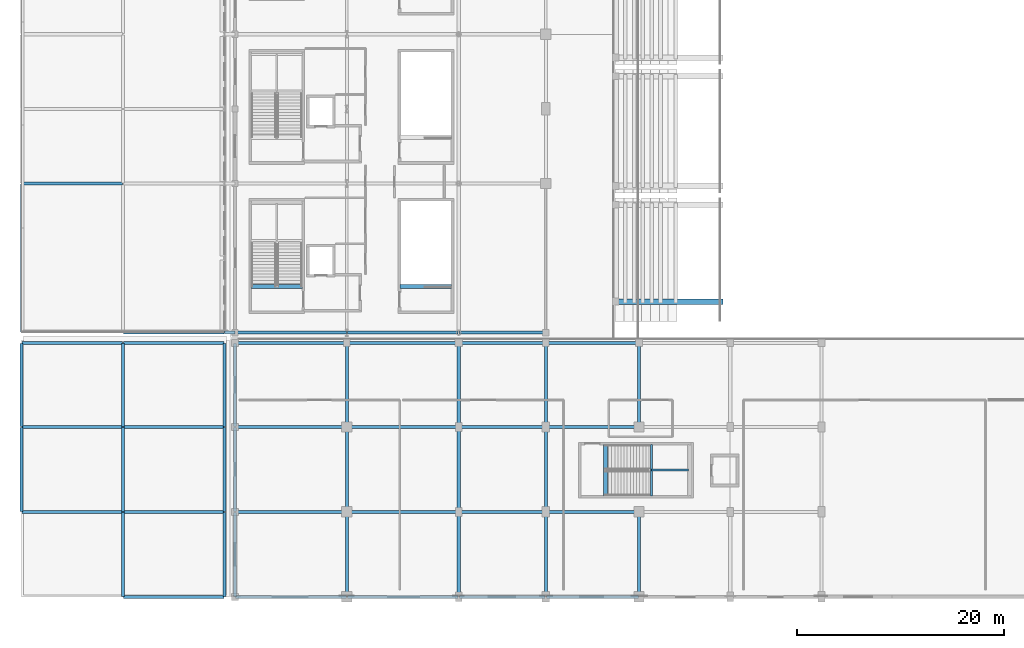
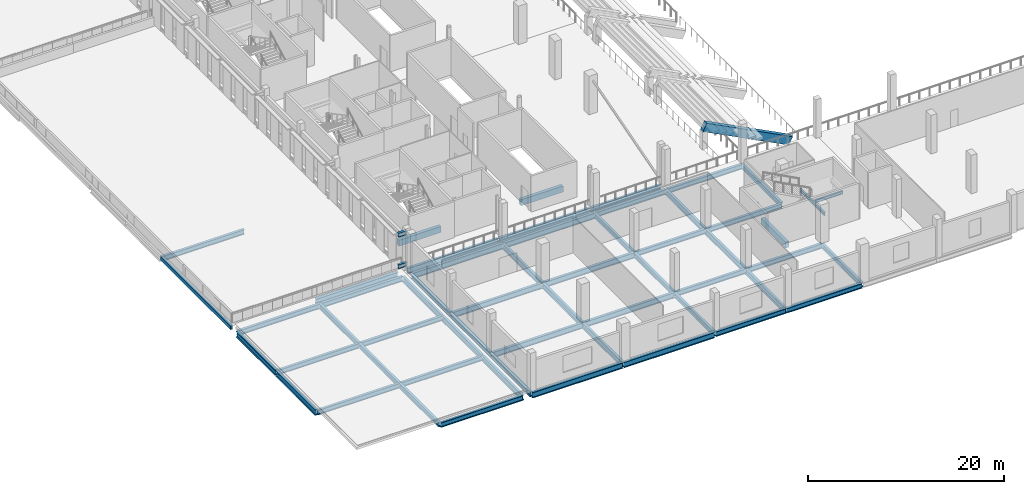
# One storey, part 13 of 74: 59 beams.
"""IFC4 building model written with IfcOpenShell, lengths in metres."""

from ifc_helpers import new_model, si_unit, direction, frame, origin, origin_2d, place, context, subcontext, project, spatial, rectangle, hollow_rectangle, i_section, extrude, material, material_profile, profile_set, type_object, element, save


model = new_model("IFC4")

# Units and contexts
model_context = context("Model", 3, precision=1e-05, world=origin(), true_north=direction((0.0, 1.0)))
body_context = subcontext(model_context, "Body", "Model", "MODEL_VIEW")
ifc_project = project(units=[si_unit("LENGTHUNIT", "METRE"), si_unit("AREAUNIT", "SQUARE_METRE"), si_unit("VOLUMEUNIT", "CUBIC_METRE"), si_unit("PLANEANGLEUNIT", "RADIAN"), si_unit("MASSUNIT", "GRAM", prefix="KILO")], contexts=[model_context])

# Site, building, storey
site_placement = place(None, origin())
site = spatial("IfcSite", under=ifc_project, at=site_placement, CompositionType="ELEMENT")
building_placement = place(site_placement, origin())
building = spatial("IfcBuilding", under=site, at=building_placement, Name="Koshinbarg Plaza Stadium", CompositionType="ELEMENT")
storey_placement = place(building_placement, frame((0.0, 0.0, 15.0)))
storey = spatial("IfcBuildingStorey", under=building, at=storey_placement, Name="L03", CompositionType="ELEMENT", Elevation=15.0)

# Beams
ifc_material_1 = material(Name="Steel S355", Category="steel")
ifc_material_profile_1 = material_profile(ifc_material_1, i_section(OverallWidth=0.300048828125, OverallDepth=0.5, WebThickness=0.014404296875, FlangeThickness=0.028076171875, at=origin_2d()), Name="HEB 500")
ifc_profile_set_1 = profile_set([ifc_material_profile_1], Name="Steel S355")
beam_type_1 = type_object("IfcBeamType", Name="BM-CANOPY-CANT", PredefinedType="BEAM", material=ifc_profile_set_1)
for number, where, z_axis, x_axis, name in (
    (1, (24.60009765625, 25.5, 0.25), (-1.0, 0.0, 0.0), (0.0, -1.0, 0.0), "Outer screen cantilever outrigger W-L03-Y01"),
    (2, (24.60009765625, 25.5, 4.179931640625), (-1.0, 0.0, 0.0), (0.0, -1.0, 0.0), "Outer screen cantilever outrigger W-L03-Y01"),
):
    element("IfcBeam", number, at=place(storey_placement, frame(where, z_axis=z_axis, x_axis=x_axis)), inside=storey, type_object=beam_type_1, Name=name, PredefinedType="BEAM", context=body_context, shape_type="SweptSolid", body=[
        extrude(i_section(OverallWidth=0.300048828125, OverallDepth=0.5, WebThickness=0.014404296875, FlangeThickness=0.028076171875, at=origin_2d()), origin(), (0.0, 0.0, 1.0), 1.030029296875),
    ])
ifc_material_2 = material(Name="Concrete C40/50", Category="concrete")
ifc_material_profile_2 = material_profile(ifc_material_2, rectangle(XDim=0.550048828125, YDim=1.0, at=origin_2d()), Name="RC 550x1000")
ifc_profile_set_2 = profile_set([ifc_material_profile_2], Name="Concrete C40/50")
beam_type_2 = type_object("IfcBeamType", Name="BM-RAKER-UT", PredefinedType="USERDEFINED", material=ifc_profile_set_2)
beam_1_placement = place(storey_placement, frame((71.4599609375, 28.5, -2.54296875), z_axis=(-0.888953125137, 0.0, 0.457998189198), x_axis=(0.0, -1.0, 0.0)))
element("IfcBeam", 3, at=beam_1_placement, inside=storey, type_object=beam_type_2, Name="Upper cantilevered bowl raker girder RAKER UT-W01-L", ObjectType="GIRDER", PredefinedType="USERDEFINED", context=body_context, shape_type="SweptSolid", body=[
    extrude(rectangle(XDim=0.550048828125, YDim=1.0, at=origin_2d()), origin(), (0.0, 0.0, 1.0), 11.384033203125),
])
ifc_material_profile_3 = material_profile(ifc_material_2, rectangle(XDim=0.39990234375, YDim=0.75, at=origin_2d()), Name="RC 400x750")
ifc_profile_set_3 = profile_set([ifc_material_profile_3], Name="Concrete C40/50")
beam_type_3 = type_object("IfcBeamType", Name="BM-RCG-03", PredefinedType="USERDEFINED", material=ifc_profile_set_3)
beam_2_placement = place(storey_placement, frame((26.14990234375, 29.9599609375, -0.375), z_axis=(1.0, 0.0, 0.0), x_axis=(0.0, 1.0, 0.0)))
element("IfcBeam", 4, at=beam_2_placement, inside=storey, type_object=beam_type_3, Name="L03 stair landing header beam C01", ObjectType="GIRDER", PredefinedType="USERDEFINED", context=body_context, shape_type="SweptSolid", body=[
    extrude(rectangle(XDim=0.39990234375, YDim=0.75, at=origin_2d()), origin(), (0.0, 0.0, 1.0), 4.97021484375),
])
for number, where, z_axis, x_axis, name in (
    (5, (60.360107421875, 9.75, -0.375), (0.0, 1.0, 0.0), (-1.0, 0.0, 0.0), "L03 stair landing header beam C13"),
    (6, (40.550048828125, 29.9599609375, -0.375), (1.0, 0.0, 0.0), (0.0, 1.0, 0.0), "L03 stair landing header beam VX01"),
):
    element("IfcBeam", number, at=place(storey_placement, frame(where, z_axis=z_axis, x_axis=x_axis)), inside=storey, type_object=beam_type_3, Name=name, ObjectType="GIRDER", PredefinedType="USERDEFINED", context=body_context, shape_type="SweptSolid", body=[
        extrude(rectangle(XDim=0.39990234375, YDim=0.75, at=origin_2d()), origin(), (0.0, 0.0, 1.0), 4.969970703125),
    ])
ifc_material_profile_4 = material_profile(ifc_material_1, i_section(OverallWidth=0.179931640625, OverallDepth=0.39990234375, WebThickness=0.008544921875, FlangeThickness=0.013427734375, at=origin_2d()), Name="IPE 400")
ifc_profile_set_4 = profile_set([ifc_material_profile_4], Name="Steel S355")
beam_type_4 = type_object("IfcBeamType", Name="BM-SBM-01", PredefinedType="BEAM", material=ifc_profile_set_4)
beam_3_placement = place(storey_placement, frame((64.81005859375, 9.75, 1.8798828125), z_axis=(0.0, 1.0, 0.0), x_axis=(-1.0, 0.0, 0.0)))
element("IfcBeam", 7, at=beam_3_placement, inside=storey, type_object=beam_type_4, Name="L03 Protected Exit Stair C13 landing trimmer beam 1", PredefinedType="BEAM", context=body_context, shape_type="SweptSolid", body=[
    extrude(i_section(OverallWidth=0.179931640625, OverallDepth=0.39990234375, WebThickness=0.008544921875, FlangeThickness=0.013427734375, at=origin_2d()), origin(), (0.0, 0.0, 1.0), 4.969970703125),
])
beam_4_placement = place(storey_placement, frame((64.81005859375, 12.235107421875, 1.8798828125), z_axis=(1.0, 0.0, 0.0), x_axis=(0.0, 1.0, 0.0)))
element("IfcBeam", 8, at=beam_4_placement, inside=storey, type_object=beam_type_4, Name="L03 Protected Exit Stair C13 landing trimmer beam 3", PredefinedType="BEAM", context=body_context, shape_type="SweptSolid", body=[
    extrude(i_section(OverallWidth=0.179931640625, OverallDepth=0.39990234375, WebThickness=0.008544921875, FlangeThickness=0.013427734375, at=origin_2d()), origin(), (0.0, 0.0, 1.0), 3.5400390625),
])
ifc_material_profile_5 = material_profile(ifc_material_1, i_section(OverallWidth=0.300048828125, OverallDepth=0.60009765625, WebThickness=0.015380859375, FlangeThickness=0.030029296875, at=origin_2d()), Name="HEB 600")
ifc_profile_set_5 = profile_set([ifc_material_profile_5], Name="Steel S355")
beam_type_5 = type_object("IfcBeamType", Name="BM-SGIR-02", PredefinedType="USERDEFINED", material=ifc_profile_set_5)
beam_5_placement = place(storey_placement, frame((13.860107421875, 0.0, -0.60009765625), z_axis=(1.0, 0.0, 0.0), x_axis=(0.0, 1.0, 0.0)))
element("IfcBeam", 9, at=beam_5_placement, inside=storey, type_object=beam_type_5, Name="L03 X girder A/3-4", ObjectType="GIRDER", PredefinedType="USERDEFINED", context=body_context, shape_type="SweptSolid", body=[
    extrude(i_section(OverallWidth=0.300048828125, OverallDepth=0.60009765625, WebThickness=0.015380859375, FlangeThickness=0.030029296875, at=origin_2d()), origin(), (0.0, 0.0, 1.0), 9.679931640625),
])
beam_6_placement = place(storey_placement, frame((46.260009765625, 0.0, -0.6201171875), z_axis=(1.0, 0.0, 0.0), x_axis=(0.0, 1.0, 0.0)))
element("IfcBeam", 10, at=beam_6_placement, inside=storey, type_object=beam_type_5, Name="L03 X girder A/7-8", ObjectType="GIRDER", PredefinedType="USERDEFINED", context=body_context, shape_type="SweptSolid", body=[
    extrude(i_section(OverallWidth=0.300048828125, OverallDepth=0.60009765625, WebThickness=0.015380859375, FlangeThickness=0.030029296875, at=origin_2d()), origin(), (0.0, 0.0, 1.0), 8.280029296875),
])
beam_7_placement = place(storey_placement, frame((54.659912109375, 0.0, -0.6201171875), z_axis=(1.0, 0.0, 0.0), x_axis=(0.0, 1.0, 0.0)))
element("IfcBeam", 11, at=beam_7_placement, inside=storey, type_object=beam_type_5, Name="L03 X girder A/8-9", ObjectType="GIRDER", PredefinedType="USERDEFINED", context=body_context, shape_type="SweptSolid", body=[
    extrude(i_section(OverallWidth=0.300048828125, OverallDepth=0.60009765625, WebThickness=0.015380859375, FlangeThickness=0.030029296875, at=origin_2d()), origin(), (0.0, 0.0, 1.0), 8.880126953125),
])
for number, where, z_axis, x_axis, name in (
    (12, (4.06005859375, 8.199951171875, -0.60009765625), (1.0, 0.0, 0.0), (0.0, 1.0, 0.0), "L03 X girder B/2-3"),
    (13, (13.860107421875, 8.199951171875, -0.60009765625), (1.0, 0.0, 0.0), (0.0, 1.0, 0.0), "L03 X girder B/3-4"),
):
    element("IfcBeam", number, at=place(storey_placement, frame(where, z_axis=z_axis, x_axis=x_axis)), inside=storey, type_object=beam_type_5, Name=name, ObjectType="GIRDER", PredefinedType="USERDEFINED", context=body_context, shape_type="SweptSolid", body=[
        extrude(i_section(OverallWidth=0.300048828125, OverallDepth=0.60009765625, WebThickness=0.015380859375, FlangeThickness=0.030029296875, at=origin_2d()), origin(), (0.0, 0.0, 1.0), 9.679931640625),
    ])
beam_8_placement = place(storey_placement, frame((46.260009765625, 8.199951171875, -0.6201171875), z_axis=(1.0, 0.0, 0.0), x_axis=(0.0, 1.0, 0.0)))
element("IfcBeam", 14, at=beam_8_placement, inside=storey, type_object=beam_type_5, Name="L03 X girder B/7-8", ObjectType="GIRDER", PredefinedType="USERDEFINED", context=body_context, shape_type="SweptSolid", body=[
    extrude(i_section(OverallWidth=0.300048828125, OverallDepth=0.60009765625, WebThickness=0.015380859375, FlangeThickness=0.030029296875, at=origin_2d()), origin(), (0.0, 0.0, 1.0), 8.280029296875),
])
beam_9_placement = place(storey_placement, frame((54.659912109375, 8.199951171875, -0.6201171875), z_axis=(1.0, 0.0, 0.0), x_axis=(0.0, 1.0, 0.0)))
element("IfcBeam", 15, at=beam_9_placement, inside=storey, type_object=beam_type_5, Name="L03 X girder B/8-9", ObjectType="GIRDER", PredefinedType="USERDEFINED", context=body_context, shape_type="SweptSolid", body=[
    extrude(i_section(OverallWidth=0.300048828125, OverallDepth=0.60009765625, WebThickness=0.015380859375, FlangeThickness=0.030029296875, at=origin_2d()), origin(), (0.0, 0.0, 1.0), 8.880126953125),
])
for number, where, z_axis, x_axis, name in (
    (16, (4.06005859375, 16.39990234375, -0.60009765625), (1.0, 0.0, 0.0), (0.0, 1.0, 0.0), "L03 X girder C/2-3"),
    (17, (13.860107421875, 16.39990234375, -0.60009765625), (1.0, 0.0, 0.0), (0.0, 1.0, 0.0), "L03 X girder C/3-4"),
):
    element("IfcBeam", number, at=place(storey_placement, frame(where, z_axis=z_axis, x_axis=x_axis)), inside=storey, type_object=beam_type_5, Name=name, ObjectType="GIRDER", PredefinedType="USERDEFINED", context=body_context, shape_type="SweptSolid", body=[
        extrude(i_section(OverallWidth=0.300048828125, OverallDepth=0.60009765625, WebThickness=0.015380859375, FlangeThickness=0.030029296875, at=origin_2d()), origin(), (0.0, 0.0, 1.0), 9.679931640625),
    ])
beam_10_placement = place(storey_placement, frame((46.260009765625, 16.39990234375, -0.6201171875), z_axis=(1.0, 0.0, 0.0), x_axis=(0.0, 1.0, 0.0)))
element("IfcBeam", 18, at=beam_10_placement, inside=storey, type_object=beam_type_5, Name="L03 X girder C/7-8", ObjectType="GIRDER", PredefinedType="USERDEFINED", context=body_context, shape_type="SweptSolid", body=[
    extrude(i_section(OverallWidth=0.300048828125, OverallDepth=0.60009765625, WebThickness=0.015380859375, FlangeThickness=0.030029296875, at=origin_2d()), origin(), (0.0, 0.0, 1.0), 8.280029296875),
])
beam_11_placement = place(storey_placement, frame((54.659912109375, 16.39990234375, -0.6201171875), z_axis=(1.0, 0.0, 0.0), x_axis=(0.0, 1.0, 0.0)))
element("IfcBeam", 19, at=beam_11_placement, inside=storey, type_object=beam_type_5, Name="L03 X girder C/8-9", ObjectType="GIRDER", PredefinedType="USERDEFINED", context=body_context, shape_type="SweptSolid", body=[
    extrude(i_section(OverallWidth=0.300048828125, OverallDepth=0.60009765625, WebThickness=0.015380859375, FlangeThickness=0.030029296875, at=origin_2d()), origin(), (0.0, 0.0, 1.0), 8.880126953125),
])
for number, where, z_axis, x_axis, name in (
    (20, (4.06005859375, 24.5, -0.60009765625), (1.0, 0.0, 0.0), (0.0, 1.0, 0.0), "L03 X girder D/2-3"),
    (21, (13.860107421875, 24.5, -0.60009765625), (1.0, 0.0, 0.0), (0.0, 1.0, 0.0), "L03 X girder D/3-4"),
):
    element("IfcBeam", number, at=place(storey_placement, frame(where, z_axis=z_axis, x_axis=x_axis)), inside=storey, type_object=beam_type_5, Name=name, ObjectType="GIRDER", PredefinedType="USERDEFINED", context=body_context, shape_type="SweptSolid", body=[
        extrude(i_section(OverallWidth=0.300048828125, OverallDepth=0.60009765625, WebThickness=0.015380859375, FlangeThickness=0.030029296875, at=origin_2d()), origin(), (0.0, 0.0, 1.0), 9.679931640625),
    ])
beam_12_placement = place(storey_placement, frame((46.260009765625, 24.5, -0.6201171875), z_axis=(1.0, 0.0, 0.0), x_axis=(0.0, 1.0, 0.0)))
element("IfcBeam", 22, at=beam_12_placement, inside=storey, type_object=beam_type_5, Name="L03 X girder D/7-8", ObjectType="GIRDER", PredefinedType="USERDEFINED", context=body_context, shape_type="SweptSolid", body=[
    extrude(i_section(OverallWidth=0.300048828125, OverallDepth=0.60009765625, WebThickness=0.015380859375, FlangeThickness=0.030029296875, at=origin_2d()), origin(), (0.0, 0.0, 1.0), 8.280029296875),
])
beam_13_placement = place(storey_placement, frame((54.659912109375, 24.5, -0.6201171875), z_axis=(1.0, 0.0, 0.0), x_axis=(0.0, 1.0, 0.0)))
element("IfcBeam", 23, at=beam_13_placement, inside=storey, type_object=beam_type_5, Name="L03 X girder D/8-9", ObjectType="GIRDER", PredefinedType="USERDEFINED", context=body_context, shape_type="SweptSolid", body=[
    extrude(i_section(OverallWidth=0.300048828125, OverallDepth=0.60009765625, WebThickness=0.015380859375, FlangeThickness=0.030029296875, at=origin_2d()), origin(), (0.0, 0.0, 1.0), 8.880126953125),
])
beam_14_placement = place(storey_placement, frame((13.860107421875, 25.5, -0.659912109375), z_axis=(1.0, 0.0, 0.0), x_axis=(0.0, 1.0, 0.0)))
element("IfcBeam", 24, at=beam_14_placement, inside=storey, type_object=beam_type_5, Name="L03 X girder E/3-4", ObjectType="GIRDER", PredefinedType="USERDEFINED", context=body_context, shape_type="SweptSolid", body=[
    extrude(i_section(OverallWidth=0.300048828125, OverallDepth=0.60009765625, WebThickness=0.015380859375, FlangeThickness=0.030029296875, at=origin_2d()), origin(), (0.0, 0.0, 1.0), 9.679931640625),
])
beam_15_placement = place(storey_placement, frame((46.260009765625, 25.5, -0.6201171875), z_axis=(1.0, 0.0, 0.0), x_axis=(0.0, 1.0, 0.0)))
element("IfcBeam", 25, at=beam_15_placement, inside=storey, type_object=beam_type_5, Name="L03 X girder E/7-8", ObjectType="GIRDER", PredefinedType="USERDEFINED", context=body_context, shape_type="SweptSolid", body=[
    extrude(i_section(OverallWidth=0.300048828125, OverallDepth=0.60009765625, WebThickness=0.015380859375, FlangeThickness=0.030029296875, at=origin_2d()), origin(), (0.0, 0.0, 1.0), 8.280029296875),
])
beam_16_placement = place(storey_placement, frame((4.06005859375, 39.89990234375, -0.659912109375), z_axis=(1.0, 0.0, 0.0), x_axis=(0.0, 1.0, 0.0)))
element("IfcBeam", 26, at=beam_16_placement, inside=storey, type_object=beam_type_5, Name="L03 X girder F/2-3", ObjectType="GIRDER", PredefinedType="USERDEFINED", context=body_context, shape_type="SweptSolid", body=[
    extrude(i_section(OverallWidth=0.300048828125, OverallDepth=0.60009765625, WebThickness=0.015380859375, FlangeThickness=0.030029296875, at=origin_2d()), origin(), (0.0, 0.0, 1.0), 9.679931640625),
])
beam_17_placement = place(storey_placement, frame((13.800048828125, 0.06005859375, -0.60009765625), z_axis=(0.0, 1.0, 0.0), x_axis=(-1.0, 0.0, 0.0)))
element("IfcBeam", 27, at=beam_17_placement, inside=storey, type_object=beam_type_5, Name="L03 Y girder 3/A-B", ObjectType="GIRDER", PredefinedType="USERDEFINED", context=body_context, shape_type="SweptSolid", body=[
    extrude(i_section(OverallWidth=0.300048828125, OverallDepth=0.60009765625, WebThickness=0.015380859375, FlangeThickness=0.030029296875, at=origin_2d()), origin(), (0.0, 0.0, 1.0), 8.079833984375),
])
beam_18_placement = place(storey_placement, frame((13.800048828125, 8.260009765625, -0.60009765625), z_axis=(0.0, 1.0, 0.0), x_axis=(-1.0, 0.0, 0.0)))
element("IfcBeam", 28, at=beam_18_placement, inside=storey, type_object=beam_type_5, Name="L03 Y girder 3/B-C", ObjectType="GIRDER", PredefinedType="USERDEFINED", context=body_context, shape_type="SweptSolid", body=[
    extrude(i_section(OverallWidth=0.300048828125, OverallDepth=0.60009765625, WebThickness=0.015380859375, FlangeThickness=0.030029296875, at=origin_2d()), origin(), (0.0, 0.0, 1.0), 8.080078125),
])
beam_19_placement = place(storey_placement, frame((13.800048828125, 16.4599609375, -0.60009765625), z_axis=(0.0, 1.0, 0.0), x_axis=(-1.0, 0.0, 0.0)))
element("IfcBeam", 29, at=beam_19_placement, inside=storey, type_object=beam_type_5, Name="L03 Y girder 3/C-D", ObjectType="GIRDER", PredefinedType="USERDEFINED", context=body_context, shape_type="SweptSolid", body=[
    extrude(i_section(OverallWidth=0.300048828125, OverallDepth=0.60009765625, WebThickness=0.015380859375, FlangeThickness=0.030029296875, at=origin_2d()), origin(), (0.0, 0.0, 1.0), 7.97998046875),
])
beam_20_placement = place(storey_placement, frame((24.60009765625, 0.06005859375, -0.6201171875), z_axis=(0.0, 1.0, 0.0), x_axis=(-1.0, 0.0, 0.0)))
element("IfcBeam", 30, at=beam_20_placement, inside=storey, type_object=beam_type_5, Name="L03 Y girder 5/A-B", ObjectType="GIRDER", PredefinedType="USERDEFINED", context=body_context, shape_type="SweptSolid", body=[
    extrude(i_section(OverallWidth=0.300048828125, OverallDepth=0.60009765625, WebThickness=0.015380859375, FlangeThickness=0.030029296875, at=origin_2d()), origin(), (0.0, 0.0, 1.0), 8.079833984375),
])
beam_21_placement = place(storey_placement, frame((24.60009765625, 8.260009765625, -0.6201171875), z_axis=(0.0, 1.0, 0.0), x_axis=(-1.0, 0.0, 0.0)))
element("IfcBeam", 31, at=beam_21_placement, inside=storey, type_object=beam_type_5, Name="L03 Y girder 5/B-C", ObjectType="GIRDER", PredefinedType="USERDEFINED", context=body_context, shape_type="SweptSolid", body=[
    extrude(i_section(OverallWidth=0.300048828125, OverallDepth=0.60009765625, WebThickness=0.015380859375, FlangeThickness=0.030029296875, at=origin_2d()), origin(), (0.0, 0.0, 1.0), 8.080078125),
])
beam_22_placement = place(storey_placement, frame((24.60009765625, 16.4599609375, -0.6201171875), z_axis=(0.0, 1.0, 0.0), x_axis=(-1.0, 0.0, 0.0)))
element("IfcBeam", 32, at=beam_22_placement, inside=storey, type_object=beam_type_5, Name="L03 Y girder 5/C-D", ObjectType="GIRDER", PredefinedType="USERDEFINED", context=body_context, shape_type="SweptSolid", body=[
    extrude(i_section(OverallWidth=0.300048828125, OverallDepth=0.60009765625, WebThickness=0.015380859375, FlangeThickness=0.030029296875, at=origin_2d()), origin(), (0.0, 0.0, 1.0), 7.97998046875),
])
beam_23_placement = place(storey_placement, frame((46.199951171875, 0.06005859375, -0.6201171875), z_axis=(0.0, 1.0, 0.0), x_axis=(-1.0, 0.0, 0.0)))
element("IfcBeam", 33, at=beam_23_placement, inside=storey, type_object=beam_type_5, Name="L03 Y girder 7/A-B", ObjectType="GIRDER", PredefinedType="USERDEFINED", context=body_context, shape_type="SweptSolid", body=[
    extrude(i_section(OverallWidth=0.300048828125, OverallDepth=0.60009765625, WebThickness=0.015380859375, FlangeThickness=0.030029296875, at=origin_2d()), origin(), (0.0, 0.0, 1.0), 8.079833984375),
])
beam_24_placement = place(storey_placement, frame((46.199951171875, 8.260009765625, -0.6201171875), z_axis=(0.0, 1.0, 0.0), x_axis=(-1.0, 0.0, 0.0)))
element("IfcBeam", 34, at=beam_24_placement, inside=storey, type_object=beam_type_5, Name="L03 Y girder 7/B-C", ObjectType="GIRDER", PredefinedType="USERDEFINED", context=body_context, shape_type="SweptSolid", body=[
    extrude(i_section(OverallWidth=0.300048828125, OverallDepth=0.60009765625, WebThickness=0.015380859375, FlangeThickness=0.030029296875, at=origin_2d()), origin(), (0.0, 0.0, 1.0), 8.080078125),
])
beam_25_placement = place(storey_placement, frame((46.199951171875, 16.4599609375, -0.6201171875), z_axis=(0.0, 1.0, 0.0), x_axis=(-1.0, 0.0, 0.0)))
element("IfcBeam", 35, at=beam_25_placement, inside=storey, type_object=beam_type_5, Name="L03 Y girder 7/C-D", ObjectType="GIRDER", PredefinedType="USERDEFINED", context=body_context, shape_type="SweptSolid", body=[
    extrude(i_section(OverallWidth=0.300048828125, OverallDepth=0.60009765625, WebThickness=0.015380859375, FlangeThickness=0.030029296875, at=origin_2d()), origin(), (0.0, 0.0, 1.0), 7.97998046875),
])
beam_26_placement = place(storey_placement, frame((63.60009765625, 0.06005859375, -0.6201171875), z_axis=(0.0, 1.0, 0.0), x_axis=(-1.0, 0.0, 0.0)))
element("IfcBeam", 36, at=beam_26_placement, inside=storey, type_object=beam_type_5, Name="L03 Y girder 9/A-B", ObjectType="GIRDER", PredefinedType="USERDEFINED", context=body_context, shape_type="SweptSolid", body=[
    extrude(i_section(OverallWidth=0.300048828125, OverallDepth=0.60009765625, WebThickness=0.015380859375, FlangeThickness=0.030029296875, at=origin_2d()), origin(), (0.0, 0.0, 1.0), 8.079833984375),
])
beam_27_placement = place(storey_placement, frame((63.60009765625, 16.4599609375, -0.6201171875), z_axis=(0.0, 1.0, 0.0), x_axis=(-1.0, 0.0, 0.0)))
element("IfcBeam", 37, at=beam_27_placement, inside=storey, type_object=beam_type_5, Name="L03 Y girder 9/C-D", ObjectType="GIRDER", PredefinedType="USERDEFINED", context=body_context, shape_type="SweptSolid", body=[
    extrude(i_section(OverallWidth=0.300048828125, OverallDepth=0.60009765625, WebThickness=0.015380859375, FlangeThickness=0.030029296875, at=origin_2d()), origin(), (0.0, 0.0, 1.0), 7.97998046875),
])
ifc_material_profile_6 = material_profile(ifc_material_1, i_section(OverallWidth=0.300048828125, OverallDepth=0.699951171875, WebThickness=0.01708984375, FlangeThickness=0.031982421875, at=origin_2d()), Name="HEB 700")
ifc_profile_set_6 = profile_set([ifc_material_profile_6], Name="Steel S355")
beam_type_6 = type_object("IfcBeamType", Name="BM-SGIR-03", PredefinedType="USERDEFINED", material=ifc_profile_set_6)
beam_28_placement = place(storey_placement, frame((24.659912109375, 0.0, -0.669921875), z_axis=(1.0, 0.0, 0.0), x_axis=(0.0, 1.0, 0.0)))
element("IfcBeam", 38, at=beam_28_placement, inside=storey, type_object=beam_type_6, Name="L03 X girder A/5-6", ObjectType="GIRDER", PredefinedType="USERDEFINED", context=body_context, shape_type="SweptSolid", body=[
    extrude(i_section(OverallWidth=0.300048828125, OverallDepth=0.699951171875, WebThickness=0.01708984375, FlangeThickness=0.031982421875, at=origin_2d()), origin(), (0.0, 0.0, 1.0), 10.68017578125),
])
beam_29_placement = place(storey_placement, frame((35.4599609375, 0.0, -0.669921875), z_axis=(1.0, 0.0, 0.0), x_axis=(0.0, 1.0, 0.0)))
element("IfcBeam", 39, at=beam_29_placement, inside=storey, type_object=beam_type_6, Name="L03 X girder A/6-7", ObjectType="GIRDER", PredefinedType="USERDEFINED", context=body_context, shape_type="SweptSolid", body=[
    extrude(i_section(OverallWidth=0.300048828125, OverallDepth=0.699951171875, WebThickness=0.01708984375, FlangeThickness=0.031982421875, at=origin_2d()), origin(), (0.0, 0.0, 1.0), 10.679931640625),
])
beam_30_placement = place(storey_placement, frame((24.659912109375, 8.199951171875, -0.669921875), z_axis=(1.0, 0.0, 0.0), x_axis=(0.0, 1.0, 0.0)))
element("IfcBeam", 40, at=beam_30_placement, inside=storey, type_object=beam_type_6, Name="L03 X girder B/5-6", ObjectType="GIRDER", PredefinedType="USERDEFINED", context=body_context, shape_type="SweptSolid", body=[
    extrude(i_section(OverallWidth=0.300048828125, OverallDepth=0.699951171875, WebThickness=0.01708984375, FlangeThickness=0.031982421875, at=origin_2d()), origin(), (0.0, 0.0, 1.0), 10.68017578125),
])
beam_31_placement = place(storey_placement, frame((35.4599609375, 8.199951171875, -0.669921875), z_axis=(1.0, 0.0, 0.0), x_axis=(0.0, 1.0, 0.0)))
element("IfcBeam", 41, at=beam_31_placement, inside=storey, type_object=beam_type_6, Name="L03 X girder B/6-7", ObjectType="GIRDER", PredefinedType="USERDEFINED", context=body_context, shape_type="SweptSolid", body=[
    extrude(i_section(OverallWidth=0.300048828125, OverallDepth=0.699951171875, WebThickness=0.01708984375, FlangeThickness=0.031982421875, at=origin_2d()), origin(), (0.0, 0.0, 1.0), 10.679931640625),
])
beam_32_placement = place(storey_placement, frame((24.659912109375, 16.39990234375, -0.669921875), z_axis=(1.0, 0.0, 0.0), x_axis=(0.0, 1.0, 0.0)))
element("IfcBeam", 42, at=beam_32_placement, inside=storey, type_object=beam_type_6, Name="L03 X girder C/5-6", ObjectType="GIRDER", PredefinedType="USERDEFINED", context=body_context, shape_type="SweptSolid", body=[
    extrude(i_section(OverallWidth=0.300048828125, OverallDepth=0.699951171875, WebThickness=0.01708984375, FlangeThickness=0.031982421875, at=origin_2d()), origin(), (0.0, 0.0, 1.0), 10.68017578125),
])
beam_33_placement = place(storey_placement, frame((35.4599609375, 16.39990234375, -0.669921875), z_axis=(1.0, 0.0, 0.0), x_axis=(0.0, 1.0, 0.0)))
element("IfcBeam", 43, at=beam_33_placement, inside=storey, type_object=beam_type_6, Name="L03 X girder C/6-7", ObjectType="GIRDER", PredefinedType="USERDEFINED", context=body_context, shape_type="SweptSolid", body=[
    extrude(i_section(OverallWidth=0.300048828125, OverallDepth=0.699951171875, WebThickness=0.01708984375, FlangeThickness=0.031982421875, at=origin_2d()), origin(), (0.0, 0.0, 1.0), 10.679931640625),
])
beam_34_placement = place(storey_placement, frame((24.659912109375, 24.5, -0.669921875), z_axis=(1.0, 0.0, 0.0), x_axis=(0.0, 1.0, 0.0)))
element("IfcBeam", 44, at=beam_34_placement, inside=storey, type_object=beam_type_6, Name="L03 X girder D/5-6", ObjectType="GIRDER", PredefinedType="USERDEFINED", context=body_context, shape_type="SweptSolid", body=[
    extrude(i_section(OverallWidth=0.300048828125, OverallDepth=0.699951171875, WebThickness=0.01708984375, FlangeThickness=0.031982421875, at=origin_2d()), origin(), (0.0, 0.0, 1.0), 10.68017578125),
])
beam_35_placement = place(storey_placement, frame((35.4599609375, 24.5, -0.669921875), z_axis=(1.0, 0.0, 0.0), x_axis=(0.0, 1.0, 0.0)))
element("IfcBeam", 45, at=beam_35_placement, inside=storey, type_object=beam_type_6, Name="L03 X girder D/6-7", ObjectType="GIRDER", PredefinedType="USERDEFINED", context=body_context, shape_type="SweptSolid", body=[
    extrude(i_section(OverallWidth=0.300048828125, OverallDepth=0.699951171875, WebThickness=0.01708984375, FlangeThickness=0.031982421875, at=origin_2d()), origin(), (0.0, 0.0, 1.0), 10.679931640625),
])
beam_36_placement = place(storey_placement, frame((24.659912109375, 25.5, -0.669921875), z_axis=(1.0, 0.0, 0.0), x_axis=(0.0, 1.0, 0.0)))
element("IfcBeam", 46, at=beam_36_placement, inside=storey, type_object=beam_type_6, Name="L03 X girder E/5-6", ObjectType="GIRDER", PredefinedType="USERDEFINED", context=body_context, shape_type="SweptSolid", body=[
    extrude(i_section(OverallWidth=0.300048828125, OverallDepth=0.699951171875, WebThickness=0.01708984375, FlangeThickness=0.031982421875, at=origin_2d()), origin(), (0.0, 0.0, 1.0), 10.68017578125),
])
beam_37_placement = place(storey_placement, frame((35.4599609375, 25.5, -0.669921875), z_axis=(1.0, 0.0, 0.0), x_axis=(0.0, 1.0, 0.0)))
element("IfcBeam", 47, at=beam_37_placement, inside=storey, type_object=beam_type_6, Name="L03 X girder E/6-7", ObjectType="GIRDER", PredefinedType="USERDEFINED", context=body_context, shape_type="SweptSolid", body=[
    extrude(i_section(OverallWidth=0.300048828125, OverallDepth=0.699951171875, WebThickness=0.01708984375, FlangeThickness=0.031982421875, at=origin_2d()), origin(), (0.0, 0.0, 1.0), 10.679931640625),
])
beam_38_placement = place(storey_placement, frame((4.0, 8.260009765625, -0.64990234375), z_axis=(0.0, 1.0, 0.0), x_axis=(-1.0, 0.0, 0.0)))
element("IfcBeam", 48, at=beam_38_placement, inside=storey, type_object=beam_type_6, Name="L03 Y girder 2/B-C", ObjectType="GIRDER", PredefinedType="USERDEFINED", context=body_context, shape_type="SweptSolid", body=[
    extrude(i_section(OverallWidth=0.300048828125, OverallDepth=0.699951171875, WebThickness=0.01708984375, FlangeThickness=0.031982421875, at=origin_2d()), origin(), (0.0, 0.0, 1.0), 8.080078125),
])
beam_39_placement = place(storey_placement, frame((4.0, 16.4599609375, -0.64990234375), z_axis=(0.0, 1.0, 0.0), x_axis=(-1.0, 0.0, 0.0)))
element("IfcBeam", 49, at=beam_39_placement, inside=storey, type_object=beam_type_6, Name="L03 Y girder 2/C-D", ObjectType="GIRDER", PredefinedType="USERDEFINED", context=body_context, shape_type="SweptSolid", body=[
    extrude(i_section(OverallWidth=0.300048828125, OverallDepth=0.699951171875, WebThickness=0.01708984375, FlangeThickness=0.031982421875, at=origin_2d()), origin(), (0.0, 0.0, 1.0), 7.97998046875),
])
beam_40_placement = place(storey_placement, frame((23.60009765625, 0.06005859375, -0.64990234375), z_axis=(0.0, 1.0, 0.0), x_axis=(-1.0, 0.0, 0.0)))
element("IfcBeam", 50, at=beam_40_placement, inside=storey, type_object=beam_type_6, Name="L03 Y girder 4/A-B", ObjectType="GIRDER", PredefinedType="USERDEFINED", context=body_context, shape_type="SweptSolid", body=[
    extrude(i_section(OverallWidth=0.300048828125, OverallDepth=0.699951171875, WebThickness=0.01708984375, FlangeThickness=0.031982421875, at=origin_2d()), origin(), (0.0, 0.0, 1.0), 8.079833984375),
])
beam_41_placement = place(storey_placement, frame((23.60009765625, 8.260009765625, -0.64990234375), z_axis=(0.0, 1.0, 0.0), x_axis=(-1.0, 0.0, 0.0)))
element("IfcBeam", 51, at=beam_41_placement, inside=storey, type_object=beam_type_6, Name="L03 Y girder 4/B-C", ObjectType="GIRDER", PredefinedType="USERDEFINED", context=body_context, shape_type="SweptSolid", body=[
    extrude(i_section(OverallWidth=0.300048828125, OverallDepth=0.699951171875, WebThickness=0.01708984375, FlangeThickness=0.031982421875, at=origin_2d()), origin(), (0.0, 0.0, 1.0), 8.080078125),
])
beam_42_placement = place(storey_placement, frame((23.60009765625, 16.4599609375, -0.64990234375), z_axis=(0.0, 1.0, 0.0), x_axis=(-1.0, 0.0, 0.0)))
element("IfcBeam", 52, at=beam_42_placement, inside=storey, type_object=beam_type_6, Name="L03 Y girder 4/C-D", ObjectType="GIRDER", PredefinedType="USERDEFINED", context=body_context, shape_type="SweptSolid", body=[
    extrude(i_section(OverallWidth=0.300048828125, OverallDepth=0.699951171875, WebThickness=0.01708984375, FlangeThickness=0.031982421875, at=origin_2d()), origin(), (0.0, 0.0, 1.0), 7.97998046875),
])
beam_43_placement = place(storey_placement, frame((35.39990234375, 0.06005859375, -0.669921875), z_axis=(0.0, 1.0, 0.0), x_axis=(-1.0, 0.0, 0.0)))
element("IfcBeam", 53, at=beam_43_placement, inside=storey, type_object=beam_type_6, Name="L03 Y girder 6/A-B", ObjectType="GIRDER", PredefinedType="USERDEFINED", context=body_context, shape_type="SweptSolid", body=[
    extrude(i_section(OverallWidth=0.300048828125, OverallDepth=0.699951171875, WebThickness=0.01708984375, FlangeThickness=0.031982421875, at=origin_2d()), origin(), (0.0, 0.0, 1.0), 8.079833984375),
])
beam_44_placement = place(storey_placement, frame((35.39990234375, 8.260009765625, -0.669921875), z_axis=(0.0, 1.0, 0.0), x_axis=(-1.0, 0.0, 0.0)))
element("IfcBeam", 54, at=beam_44_placement, inside=storey, type_object=beam_type_6, Name="L03 Y girder 6/B-C", ObjectType="GIRDER", PredefinedType="USERDEFINED", context=body_context, shape_type="SweptSolid", body=[
    extrude(i_section(OverallWidth=0.300048828125, OverallDepth=0.699951171875, WebThickness=0.01708984375, FlangeThickness=0.031982421875, at=origin_2d()), origin(), (0.0, 0.0, 1.0), 8.080078125),
])
beam_45_placement = place(storey_placement, frame((35.39990234375, 16.4599609375, -0.669921875), z_axis=(0.0, 1.0, 0.0), x_axis=(-1.0, 0.0, 0.0)))
element("IfcBeam", 55, at=beam_45_placement, inside=storey, type_object=beam_type_6, Name="L03 Y girder 6/C-D", ObjectType="GIRDER", PredefinedType="USERDEFINED", context=body_context, shape_type="SweptSolid", body=[
    extrude(i_section(OverallWidth=0.300048828125, OverallDepth=0.699951171875, WebThickness=0.01708984375, FlangeThickness=0.031982421875, at=origin_2d()), origin(), (0.0, 0.0, 1.0), 7.97998046875),
])
beam_46_placement = place(storey_placement, frame((54.60009765625, 0.06005859375, -0.669921875), z_axis=(0.0, 1.0, 0.0), x_axis=(-1.0, 0.0, 0.0)))
element("IfcBeam", 56, at=beam_46_placement, inside=storey, type_object=beam_type_6, Name="L03 Y girder 8/A-B", ObjectType="GIRDER", PredefinedType="USERDEFINED", context=body_context, shape_type="SweptSolid", body=[
    extrude(i_section(OverallWidth=0.300048828125, OverallDepth=0.699951171875, WebThickness=0.01708984375, FlangeThickness=0.031982421875, at=origin_2d()), origin(), (0.0, 0.0, 1.0), 8.079833984375),
])
beam_47_placement = place(storey_placement, frame((54.60009765625, 8.260009765625, -0.669921875), z_axis=(0.0, 1.0, 0.0), x_axis=(-1.0, 0.0, 0.0)))
element("IfcBeam", 57, at=beam_47_placement, inside=storey, type_object=beam_type_6, Name="L03 Y girder 8/B-C", ObjectType="GIRDER", PredefinedType="USERDEFINED", context=body_context, shape_type="SweptSolid", body=[
    extrude(i_section(OverallWidth=0.300048828125, OverallDepth=0.699951171875, WebThickness=0.01708984375, FlangeThickness=0.031982421875, at=origin_2d()), origin(), (0.0, 0.0, 1.0), 8.080078125),
])
beam_48_placement = place(storey_placement, frame((54.60009765625, 16.4599609375, -0.669921875), z_axis=(0.0, 1.0, 0.0), x_axis=(-1.0, 0.0, 0.0)))
element("IfcBeam", 58, at=beam_48_placement, inside=storey, type_object=beam_type_6, Name="L03 Y girder 8/C-D", ObjectType="GIRDER", PredefinedType="USERDEFINED", context=body_context, shape_type="SweptSolid", body=[
    extrude(i_section(OverallWidth=0.300048828125, OverallDepth=0.699951171875, WebThickness=0.01708984375, FlangeThickness=0.031982421875, at=origin_2d()), origin(), (0.0, 0.0, 1.0), 7.97998046875),
])
ifc_material_profile_7 = material_profile(ifc_material_1, hollow_rectangle(XDim=0.25, YDim=0.449951171875, WallThickness=0.01611328125, at=origin_2d()), Name="RHS 450x250x16")
ifc_profile_set_7 = profile_set([ifc_material_profile_7], Name="Steel S355")
beam_type_7 = type_object("IfcBeamType", Name="BM-SGIR-06", PredefinedType="USERDEFINED", material=ifc_profile_set_7)
beam_49_placement = place(storey_placement, frame((4.0, 25.56005859375, -0.5849609375), z_axis=(0.0, 1.0, 0.0), x_axis=(-1.0, 0.0, 0.0)))
element("IfcBeam", 59, at=beam_49_placement, inside=storey, type_object=beam_type_7, Name="L03 Y girder 2/E-F", ObjectType="GIRDER", PredefinedType="USERDEFINED", context=body_context, shape_type="SweptSolid", body=[
    extrude(hollow_rectangle(XDim=0.25, YDim=0.449951171875, WallThickness=0.01611328125, at=origin_2d()), origin(), (0.0, 0.0, 1.0), 14.280029296875),
])

save(model, "model.ifc")
